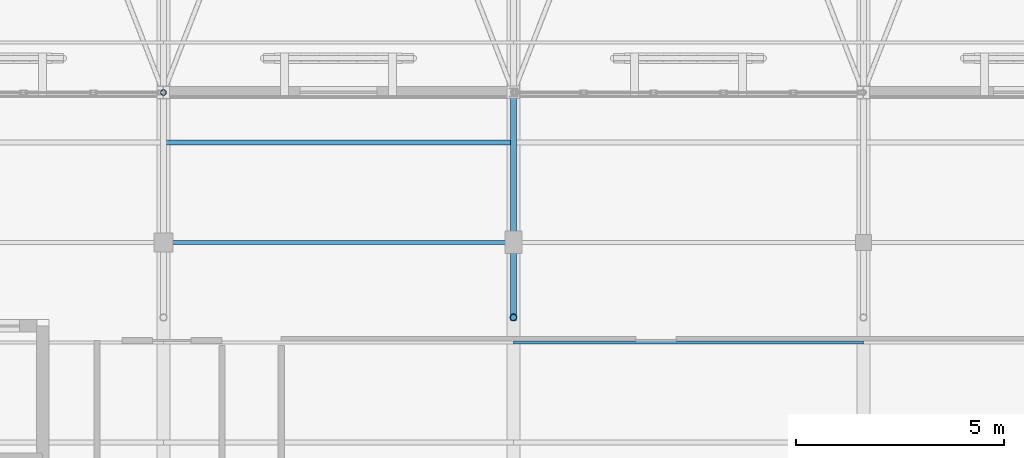
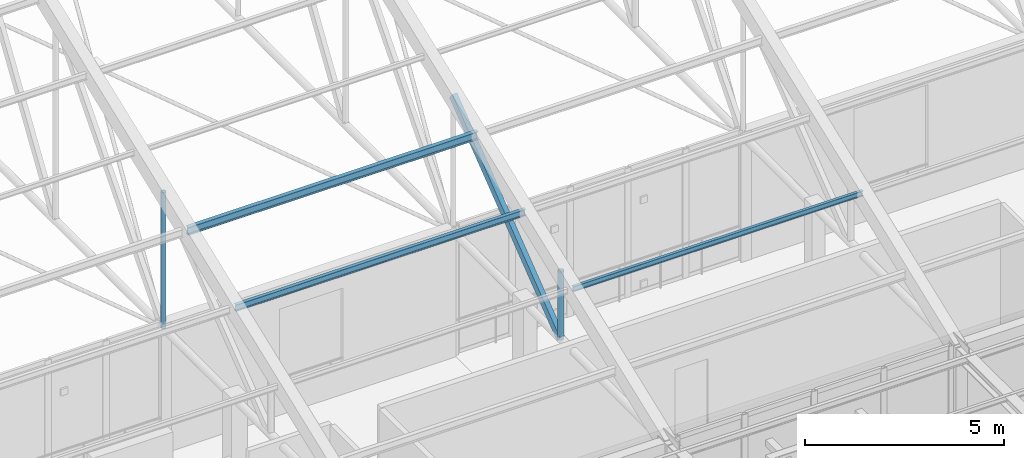
# One storey, part 88 of 217: 6 members.
"""IFC4 building model written with IfcOpenShell, lengths in metres."""

import ifcopenshell
import ifcopenshell.guid

model = None  # the IFC model being written
_history = None  # IfcOwnerHistory: only IFC2X3 demands one
_inside = {}  # id of a spatial element -> (the spatial element, [elements in it])
_under = {}  # id of a project, library or spatial element -> (it, [spatial elements below it])
_declared = {}  # id of a project -> (the project, [libraries it declares])
_typed = {}  # id of a type object -> (the type object, [elements of that type])
_made_of = {}  # id of a material, layer set ... -> (it, [elements and type objects made of it])


def new_model(schema):
    """Start an empty IFC model of exactly this schema.

    Asked for "IFC4X3", IfcOpenShell would pick the latest addendum, in which some entities
    have other attributes; the version numbers below select the first issue.
    IFC2X3 requires an IfcOwnerHistory on every rooted entity: one is made here for all.
    """
    global model, _history
    if schema == "IFC4X3":
        model = ifcopenshell.file(schema_version=(4, 3, 0, 0))
    else:
        model = ifcopenshell.file(schema=schema)
    _inside.clear()
    _under.clear()
    _declared.clear()
    _typed.clear()
    _made_of.clear()
    _history = None
    if model.schema == "IFC2X3":
        org = make("IfcOrganization", Name="unknown")
        user = make(
            "IfcPersonAndOrganization",
            ThePerson=make("IfcPerson", FamilyName="unknown"),
            TheOrganization=org,
        )
        app = make(
            "IfcApplication",
            ApplicationDeveloper=org,
            Version="unknown",
            ApplicationFullName="unknown",
            ApplicationIdentifier="unknown",
        )
        _history = make(
            "IfcOwnerHistory",
            OwningUser=user,
            OwningApplication=app,
            ChangeAction="ADDED",
            CreationDate=0,
        )
    return model


def make(cls, **values):
    """One entity of the class cls with the attributes given. An attribute that is None is left unset."""
    return model.create_entity(
        cls, **{name: value for name, value in values.items() if value is not None}
    )


def rooted(cls, **values):
    """An entity with a GlobalId (a new one), such as an element, a storey or a relation."""
    return make(cls, GlobalId=ifcopenshell.guid.new(), OwnerHistory=_history, **values)


def si_unit(unit_type, name, prefix=None):
    """IfcSIUnit, for example si_unit("LENGTHUNIT", "METRE", prefix="MILLI")."""
    return make("IfcSIUnit", UnitType=unit_type, Prefix=prefix, Name=name)


def assignment(units):
    """IfcUnitAssignment: the units of a project."""
    return None if units is None else make("IfcUnitAssignment", Units=units)


def point(xyz):
    """IfcCartesianPoint."""
    return None if xyz is None else make("IfcCartesianPoint", Coordinates=xyz)


def direction(xyz):
    """IfcDirection."""
    return None if xyz is None else make("IfcDirection", DirectionRatios=xyz)


def frame(location, z_axis=None, x_axis=None):
    """IfcAxis2Placement3D, a coordinate frame: its origin and axes. An axis left out is left unset."""
    return make(
        "IfcAxis2Placement3D",
        Location=point(location),
        Axis=direction(z_axis),
        RefDirection=direction(x_axis),
    )


def frame_2d(location, x_axis=None):
    """IfcAxis2Placement2D, a coordinate frame in the plane: its origin and x axis."""
    return make(
        "IfcAxis2Placement2D", Location=point(location), RefDirection=direction(x_axis)
    )


def origin():
    """The frame at (0, 0, 0) with its axes left unset."""
    return frame((0.0, 0.0, 0.0))


def origin_2d():
    """The frame at (0, 0) in the plane with its x axis left unset."""
    return frame_2d((0.0, 0.0))


def place(relative_to, where):
    """IfcLocalPlacement: puts the frame where relative to a parent placement (None: the world)."""
    return make(
        "IfcLocalPlacement", PlacementRelTo=relative_to, RelativePlacement=where
    )


def context(
    kind, dimensions, precision=None, world=None, true_north=None, identifier=None
):
    """IfcGeometricRepresentationContext, for example the 3D "Model" context."""
    return make(
        "IfcGeometricRepresentationContext",
        ContextIdentifier=identifier,
        ContextType=kind,
        CoordinateSpaceDimension=dimensions,
        Precision=precision,
        WorldCoordinateSystem=world,
        TrueNorth=true_north,
    )


def subcontext(parent, identifier, kind, view, scale=None):
    """IfcGeometricRepresentationSubContext, for example "Body" below "Model"."""
    return make(
        "IfcGeometricRepresentationSubContext",
        ContextIdentifier=identifier,
        ContextType=kind,
        ParentContext=parent,
        TargetScale=scale,
        TargetView=view,
    )


def project(units=None, contexts=None):
    """IfcProject with its units and contexts."""
    return rooted(
        "IfcProject",
        Name="project",
        RepresentationContexts=contexts,
        UnitsInContext=assignment(units),
    )


def spatial(cls, under=None, at=None, **own):
    """A site, building, storey or space (cls), placed at a placement, below another one or the project."""
    s = rooted(cls, ObjectPlacement=at, **own)
    if under is not None:
        _under.setdefault(under.id(), (under, []))[1].append(s)
    return s


def profile(cls, at=None, kind="AREA", **sizes):
    """A parametric profile (cls). Its sizes go by their IFC names, for example OverallWidth=200.0."""
    return make(cls, ProfileType=kind, Position=at, **sizes)


def hollow_rectangle(**sizes):
    """IfcRectangleHollowProfileDef."""
    return profile("IfcRectangleHollowProfileDef", **sizes)


def hollow_circle(**sizes):
    """IfcCircleHollowProfileDef."""
    return profile("IfcCircleHollowProfileDef", **sizes)


def i_section(**sizes):
    """IfcIShapeProfileDef."""
    return profile("IfcIShapeProfileDef", **sizes)


def extrude(swept, where, along, depth):
    """IfcExtrudedAreaSolid: the profile swept, set in the frame where, extruded along a direction by depth."""
    return make(
        "IfcExtrudedAreaSolid",
        SweptArea=swept,
        Position=where,
        ExtrudedDirection=direction(along),
        Depth=depth,
    )


def shape(context_of_items, identifier, shape_type, items):
    """IfcShapeRepresentation: the items that make up one representation, for example the "Body"."""
    return make(
        "IfcShapeRepresentation",
        ContextOfItems=context_of_items,
        RepresentationIdentifier=identifier,
        RepresentationType=shape_type,
        Items=items,
    )


def material(Name=None, Category=None):
    """IfcMaterial."""
    return make("IfcMaterial", Name=Name, Category=Category)


def material_profile(
    of_material, cross_section, Name=None, Category=None, Priority=None
):
    """IfcMaterialProfile: a cross section and its material."""
    return make(
        "IfcMaterialProfile",
        Name=Name,
        Material=of_material,
        Profile=cross_section,
        Priority=Priority,
        Category=Category,
    )


def profile_set(profiles, Name=None, composite=None):
    """IfcMaterialProfileSet."""
    return make(
        "IfcMaterialProfileSet",
        Name=Name,
        MaterialProfiles=profiles,
        CompositeProfile=composite,
    )


def made_of(thing, what):
    """Note that an element or type object is made of a material, layer set ...; save() writes the relation."""
    if what is not None:
        _made_of.setdefault(what.id(), (what, []))[1].append(thing)
    return thing


def type_object(cls, material=None, **own):
    """A type object (cls), such as IfcWallType, which elements share."""
    return made_of(rooted(cls, **own), material)


def element(
    cls,
    number,
    at=None,
    inside=None,
    cuts=None,
    type_object=None,
    material=None,
    context=None,
    identifier="Body",
    shape_type=None,
    held_by="IfcProductDefinitionShape",
    body=None,
    shapes=None,
    **own,
):
    """One element of the class cls, such as IfcWall. Its Tag is "e" and its number.

    at: its placement. inside: the storey or other place that contains it. cuts: it is an
    opening in that element (IfcRelVoidsElement). A single representation is given by context,
    identifier, shape_type and body (its items); several are given by shapes. held_by: the class
    of the entity that holds the representations. save() writes the other relations.
    """
    e = rooted(cls, Tag="e%d" % number, ObjectPlacement=at, **own)
    if body is not None:
        shapes = [shape(context, identifier, shape_type, body)]
    if shapes is not None:
        e.Representation = make(held_by, Representations=shapes)
    if inside is not None:
        _inside.setdefault(inside.id(), (inside, []))[1].append(e)
    if cuts is not None:
        rooted(
            "IfcRelVoidsElement", RelatingBuildingElement=cuts, RelatedOpeningElement=e
        )
    if type_object is not None:
        _typed.setdefault(type_object.id(), (type_object, []))[1].append(e)
    return made_of(e, material)


def aggregate(whole, parts):
    """IfcRelAggregates: a whole, such as a stair, and the parts it consists of."""
    return rooted("IfcRelAggregates", RelatingObject=whole, RelatedObjects=parts)


def save(model, path):
    """Write the relations noted so far, then the file.

    IfcRelAggregates (storeys below a building ...), IfcRelContainedInSpatialStructure (elements
    in a storey), IfcRelDefinesByType, IfcRelAssociatesMaterial and IfcRelDeclares: one each for
    every whole, place, type object, material and project.
    """
    for whole, parts in _under.values():
        aggregate(whole, parts)
    for where, things in _inside.values():
        rooted(
            "IfcRelContainedInSpatialStructure",
            RelatedElements=things,
            RelatingStructure=where,
        )
    for kind, things in _typed.values():
        rooted("IfcRelDefinesByType", RelatedObjects=things, RelatingType=kind)
    for what, things in _made_of.values():
        rooted("IfcRelAssociatesMaterial", RelatedObjects=things, RelatingMaterial=what)
    for by, libraries in _declared.values():
        rooted("IfcRelDeclares", RelatingContext=by, RelatedDefinitions=libraries)
    model.write(path)


model = new_model("IFC4")

# Units and contexts
model_context = context("Model", 3, precision=1e-05, world=origin(), true_north=direction((0.0, 1.0)))
body_context = subcontext(model_context, "Body", "Model", "MODEL_VIEW")
ifc_project = project(units=[si_unit("LENGTHUNIT", "METRE"), si_unit("AREAUNIT", "SQUARE_METRE"), si_unit("VOLUMEUNIT", "CUBIC_METRE"), si_unit("PLANEANGLEUNIT", "RADIAN"), si_unit("MASSUNIT", "GRAM", prefix="KILO")], contexts=[model_context])

# Site, building, storey
site_placement = place(None, origin())
site = spatial("IfcSite", under=ifc_project, at=site_placement, CompositionType="ELEMENT")
building_placement = place(site_placement, origin())
building = spatial("IfcBuilding", under=site, at=building_placement, Name="Mazaris Harbour Polytechnic", CompositionType="ELEMENT")
storey_placement = place(building_placement, frame((0.0, 0.0, 9.60009765625)))
storey = spatial("IfcBuildingStorey", under=building, at=storey_placement, Name="L02", CompositionType="ELEMENT", Elevation=9.60009765625)

# Members
ifc_material_1 = material(Name="Steel S355", Category="steel")
ifc_material_profile_1 = material_profile(ifc_material_1, i_section(OverallWidth=0.08203125, OverallDepth=0.159912109375, WebThickness=0.0048828125, FlangeThickness=0.00732421875, FilletRadius=0.009033203125, at=origin_2d()), Name="IPE 160")
ifc_profile_set_1 = profile_set([ifc_material_profile_1], Name="Steel S355")
member_type_1 = type_object("IfcMemberType", Name="Steel Purlin IPE160", PredefinedType="PURLIN", material=ifc_profile_set_1)
member_1_placement = place(storey_placement, frame((87.60009765625, 80.39990234375, 5.637939453125), z_axis=(1.0, 0.0, 0.0), x_axis=(0.0, 1.0, 0.0)))
element("IfcMember", 1, at=member_1_placement, inside=storey, type_object=member_type_1, Name="V1 Roof Purlin S-90", PredefinedType="PURLIN", context=body_context, shape_type="SweptSolid", body=[
    extrude(i_section(OverallWidth=0.08203125, OverallDepth=0.159912109375, WebThickness=0.0048828125, FlangeThickness=0.00732421875, FilletRadius=0.009033203125, at=origin_2d()), origin(), (0.0, 0.0, 1.0), 8.39990234375),
])
ifc_material_2 = material(Name="Steel S355", Category="steel")
ifc_material_profile_2 = material_profile(ifc_material_2, i_section(OverallWidth=0.10009765625, OverallDepth=0.199951171875, WebThickness=0.005615234375, FlangeThickness=0.008544921875, FilletRadius=0.011962890625, at=origin_2d()), Name="IPE 200")
ifc_profile_set_2 = profile_set([ifc_material_profile_2], Name="Steel S355")
member_type_2 = type_object("IfcMemberType", Name="Steel Purlin IPE200", PredefinedType="PURLIN", material=ifc_profile_set_2)
member_2_placement = place(storey_placement, frame((79.199951171875, 82.800048828125, 6.544921875), z_axis=(1.0, 0.0, 0.0), x_axis=(0.0, 1.0, 0.0)))
element("IfcMember", 2, at=member_2_placement, inside=storey, type_object=member_type_2, Name="V1 Roof Purlin S-70", PredefinedType="PURLIN", context=body_context, shape_type="SweptSolid", body=[
    extrude(i_section(OverallWidth=0.10009765625, OverallDepth=0.199951171875, WebThickness=0.005615234375, FlangeThickness=0.008544921875, FilletRadius=0.011962890625, at=origin_2d()), origin(), (0.0, 0.0, 1.0), 8.400146484375),
])
ifc_material_3 = material(Name="Steel S355", Category="steel")
ifc_material_profile_3 = material_profile(ifc_material_3, i_section(OverallWidth=0.1201171875, OverallDepth=0.239990234375, WebThickness=0.006103515625, FlangeThickness=0.009765625, FilletRadius=0.014892578125, at=origin_2d()), Name="IPE 240")
ifc_profile_set_3 = profile_set([ifc_material_profile_3], Name="Steel S355")
member_type_3 = type_object("IfcMemberType", Name="Steel Purlin IPE240", PredefinedType="PURLIN", material=ifc_profile_set_3)
member_3_placement = place(storey_placement, frame((79.199951171875, 85.199951171875, 7.451171875), z_axis=(1.0, 0.0, 0.0), x_axis=(0.0, 1.0, 0.0)))
element("IfcMember", 3, at=member_3_placement, inside=storey, type_object=member_type_3, Name="V1 Roof Purlin S-71", PredefinedType="PURLIN", context=body_context, shape_type="SweptSolid", body=[
    extrude(i_section(OverallWidth=0.1201171875, OverallDepth=0.239990234375, WebThickness=0.006103515625, FlangeThickness=0.009765625, FilletRadius=0.014892578125, at=origin_2d()), origin(), (0.0, 0.0, 1.0), 8.400146484375),
])
ifc_material_4 = material(Name="Steel S355", Category="steel")
ifc_material_profile_4 = material_profile(ifc_material_4, hollow_rectangle(XDim=0.139892578125, YDim=0.239990234375, WallThickness=0.010009765625, at=origin_2d()), Name="RHS 140x240x10.0")
ifc_profile_set_4 = profile_set([ifc_material_profile_4], Name="Steel S355")
member_type_4 = type_object("IfcMemberType", Name="Steel Truss Diagonal RHS140x240", PredefinedType="BRACE", material=ifc_profile_set_4)
member_4_placement = place(storey_placement, frame((87.60009765625, 81.0, 3.75), z_axis=(0.0, 0.791132369746, 0.611644973445), x_axis=(-1.0, 0.0, 0.0)))
element("IfcMember", 4, at=member_4_placement, inside=storey, type_object=member_type_4, Name="Truss 5 Web Diagonal S2", PredefinedType="BRACE", context=body_context, shape_type="SweptSolid", body=[
    extrude(hollow_rectangle(XDim=0.139892578125, YDim=0.239990234375, WallThickness=0.010009765625, at=origin_2d()), origin(), (0.0, 0.0, 1.0), 6.825439453125),
])
ifc_material_5 = material(Name="Steel S355", Category="steel")
ifc_material_profile_5 = material_profile(ifc_material_5, hollow_circle(Radius=0.06982421875, WallThickness=0.008056640625, at=origin_2d()), Name="CHS 139.7x8.0")
ifc_profile_set_5 = profile_set([ifc_material_profile_5], Name="Steel S355")
member_type_5 = type_object("IfcMemberType", Name="Steel Truss Strut CHS139", PredefinedType="STRUT", material=ifc_profile_set_5)
member_5_placement = place(storey_placement, frame((79.199951171875, 86.39990234375, 3.75), z_axis=(0.0, 0.0, 1.0), x_axis=(1.0, 0.0, 0.0)))
element("IfcMember", 5, at=member_5_placement, inside=storey, type_object=member_type_5, Name="Truss 4 Web Post S2", PredefinedType="STRUT", context=body_context, shape_type="SweptSolid", body=[
    extrude(hollow_circle(Radius=0.06982421875, WallThickness=0.008056640625, at=origin_2d()), origin(), (0.0, 0.0, 1.0), 4.1748046875),
])
ifc_material_6 = material(Name="Steel S355", Category="steel")
ifc_material_profile_6 = material_profile(ifc_material_6, hollow_circle(Radius=0.084228515625, WallThickness=0.008056640625, at=origin_2d()), Name="CHS 168.3x8.0")
ifc_profile_set_6 = profile_set([ifc_material_profile_6], Name="Steel S355")
member_type_6 = type_object("IfcMemberType", Name="Steel Truss Strut CHS168", PredefinedType="STRUT", material=ifc_profile_set_6)
member_6_placement = place(storey_placement, frame((87.60009765625, 81.0, 3.75), z_axis=(0.0, 0.0, 1.0), x_axis=(1.0, 0.0, 0.0)))
element("IfcMember", 6, at=member_6_placement, inside=storey, type_object=member_type_6, Name="Truss 5 Web Post S1", PredefinedType="STRUT", context=body_context, shape_type="SweptSolid", body=[
    extrude(hollow_circle(Radius=0.084228515625, WallThickness=0.008056640625, at=origin_2d()), origin(), (0.0, 0.0, 1.0), 2.08740234375),
])

save(model, "model.ifc")
